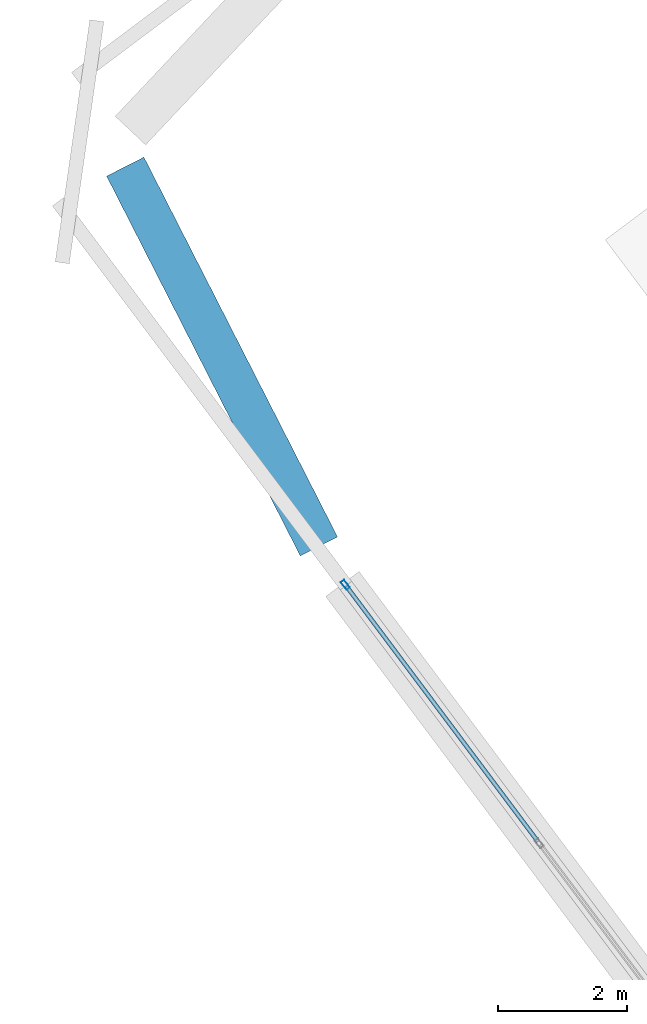
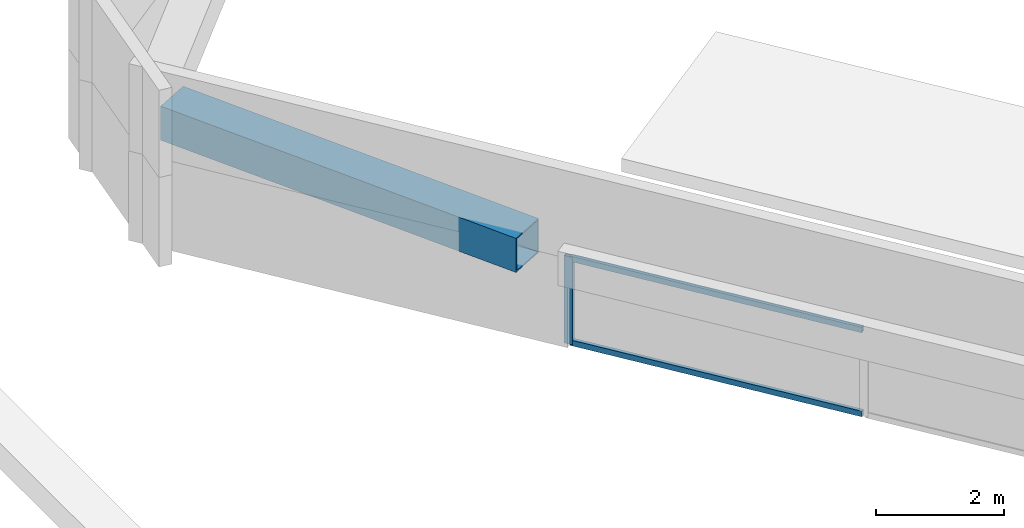
# One storey, part 13 of 31: 3 members, 1 beam, 1 element without a shape of its own.
"""IFC4 building model written with IfcOpenShell, lengths in metres."""

from ifc_helpers import new_model, si_unit, direction, frame, origin, origin_2d, place, context, subcontext, project, spatial, hollow_rectangle, extrude, material, material_profile, profile_set, type_object, element, aggregate, save


model = new_model("IFC4")

# Units and contexts
model_context = context("Model", 3, precision=1e-05, world=origin(), true_north=direction((0.0, 1.0)))
body_context = subcontext(model_context, "Body", "Model", "MODEL_VIEW")
ifc_project = project(units=[si_unit("LENGTHUNIT", "METRE"), si_unit("AREAUNIT", "SQUARE_METRE"), si_unit("VOLUMEUNIT", "CUBIC_METRE"), si_unit("PLANEANGLEUNIT", "RADIAN"), si_unit("MASSUNIT", "GRAM", prefix="KILO")], contexts=[model_context])

# Site, building, storey
site_placement = place(None, origin())
site = spatial("IfcSite", under=ifc_project, at=site_placement, CompositionType="ELEMENT")
building_placement = place(site_placement, origin())
building = spatial("IfcBuilding", under=site, at=building_placement, Name="Tashvorn Skyway Center", CompositionType="ELEMENT")
storey_placement = place(building_placement, frame((0.0, 0.0, 266.949951171875)))
storey = spatial("IfcBuildingStorey", under=building, at=storey_placement, Name="L72", CompositionType="ELEMENT", Elevation=266.949951171875)

# Beam
ifc_material_1 = material(Name="Steel ASTM A572 Grade 50", Category="steel")
ifc_material_profile_1 = material_profile(ifc_material_1, hollow_rectangle(XDim=0.64990234375, YDim=0.64990234375, WallThickness=0.02490234375, at=origin_2d()), Name="BOX650x650x25")
ifc_profile_set_1 = profile_set([ifc_material_profile_1], Name="Steel ASTM A572 Grade 50")
beam_type = type_object("IfcBeamType", Name="BM-BEAM-BOX650x650x25", PredefinedType="BEAM", material=ifc_profile_set_1)
beam_placement = place(storey_placement, frame((96.516845703125, 34.212646484375, 3.08349609375), z_axis=(0.454297683235, -0.890849939668, 0.0), x_axis=(0.890849939668, 0.454297683235, 0.0)))
element("IfcBeam", 1, at=beam_placement, inside=storey, type_object=beam_type, Name="CROWN FRAME Tower 2 Upper-Tier Ring Beam 10", PredefinedType="BEAM", context=body_context, shape_type="SweptSolid", body=[
    extrude(hollow_rectangle(XDim=0.64990234375, YDim=0.64990234375, WallThickness=0.02490234375, at=origin_2d()), origin(), (0.0, 0.0, 1.0), 6.61767578125),
])

# Curtain wall, members
ifc_material_2 = material(Name="Thermally broken bronze-anodized aluminium 6063-T6", Category="aluminium")
curtain_wall_type = type_object("IfcCurtainWallType", Name="CW-CW-SKY", PredefinedType="NOTDEFINED", material=ifc_material_2)
curtain_wall_placement = place(storey_placement, origin())
curtain_wall = element("IfcCurtainWall", 2, at=curtain_wall_placement, inside=storey, type_object=curtain_wall_type, Name="CROWN Lantern Fritted Curtain Wall T2 W-4", PredefinedType="NOTDEFINED")
ifc_material_profile_2 = material_profile(ifc_material_2, hollow_rectangle(XDim=0.06494140625, YDim=0.14990234375, WallThickness=0.00390625, at=origin_2d()), Name="ALU-MULL-65x150")
ifc_profile_set_2 = profile_set([ifc_material_profile_2], Name="Thermally broken bronze-anodized aluminium 6063-T6")
member_type_1 = type_object("IfcMemberType", Name="CWM-CW-SKY", PredefinedType="MULLION", material=ifc_profile_set_2)
member_1_placement = place(storey_placement, frame((99.93359375, 27.721923828125, 1.445068359375), z_axis=(0.0, 0.0, 1.0), x_axis=(-0.799999999998, -0.600000000002, 0.0)))
member_1 = element("IfcMember", 3, at=member_1_placement, type_object=member_type_1, Name="CW-SKY mullion 3", PredefinedType="MULLION", context=body_context, shape_type="SweptSolid", body=[
    extrude(hollow_rectangle(XDim=0.06494140625, YDim=0.14990234375, WallThickness=0.00390625, at=origin_2d()), origin(), (0.0, 0.0, 1.0), 1.6650390625),
])
ifc_material_profile_3 = material_profile(ifc_material_2, hollow_rectangle(XDim=0.06494140625, YDim=0.10498046875, WallThickness=0.00390625, at=origin_2d()), Name="ALU-TRAN-65x105")
ifc_profile_set_3 = profile_set([ifc_material_profile_3], Name="Thermally broken bronze-anodized aluminium 6063-T6")
member_type_2 = type_object("IfcMemberType", Name="CWT-CW-SKY", PredefinedType="USERDEFINED", material=ifc_profile_set_3)
member_2_placement = place(storey_placement, frame((102.924560546875, 23.73388671875, 1.4775390625), z_axis=(-0.600007887028, 0.799994084668, 0.0), x_axis=(-0.799994084668, -0.600007887028, 0.0)))
member_2 = element("IfcMember", 4, at=member_2_placement, type_object=member_type_2, Name="CW-SKY transom 2.1", ObjectType="TRANSOM", PredefinedType="USERDEFINED", context=body_context, shape_type="SweptSolid", body=[
    extrude(hollow_rectangle(XDim=0.06494140625, YDim=0.10498046875, WallThickness=0.00390625, at=origin_2d()), origin(), (0.0, 0.0, 1.0), 4.95263671875),
])
member_3_placement = place(storey_placement, frame((102.924560546875, 23.73388671875, 3.07763671875), z_axis=(-0.600007887028, 0.799994084668, 0.0), x_axis=(-0.799994084668, -0.600007887028, 0.0)))
member_3 = element("IfcMember", 5, at=member_3_placement, type_object=member_type_2, Name="CW-SKY transom 2.2", ObjectType="TRANSOM", PredefinedType="USERDEFINED", context=body_context, shape_type="SweptSolid", body=[
    extrude(hollow_rectangle(XDim=0.06494140625, YDim=0.10498046875, WallThickness=0.00390625, at=origin_2d()), origin(), (0.0, 0.0, 1.0), 4.95263671875),
])
aggregate(curtain_wall, [member_1, member_2, member_3])

save(model, "model.ifc")
